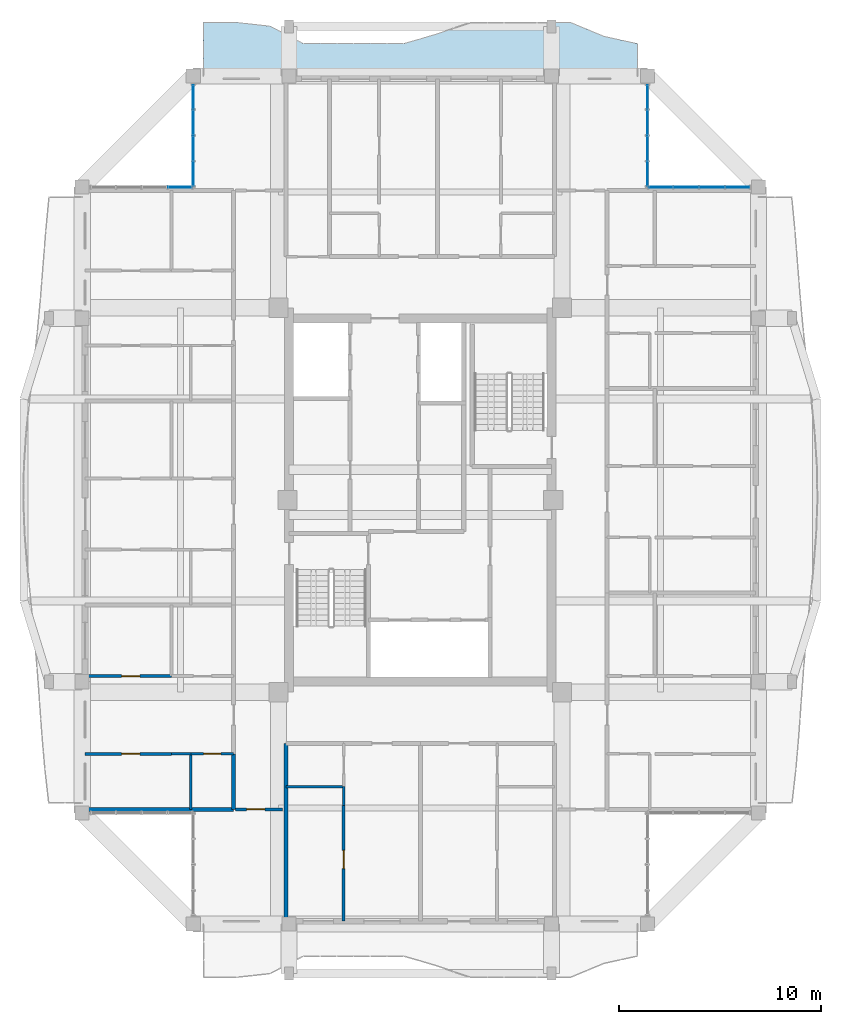
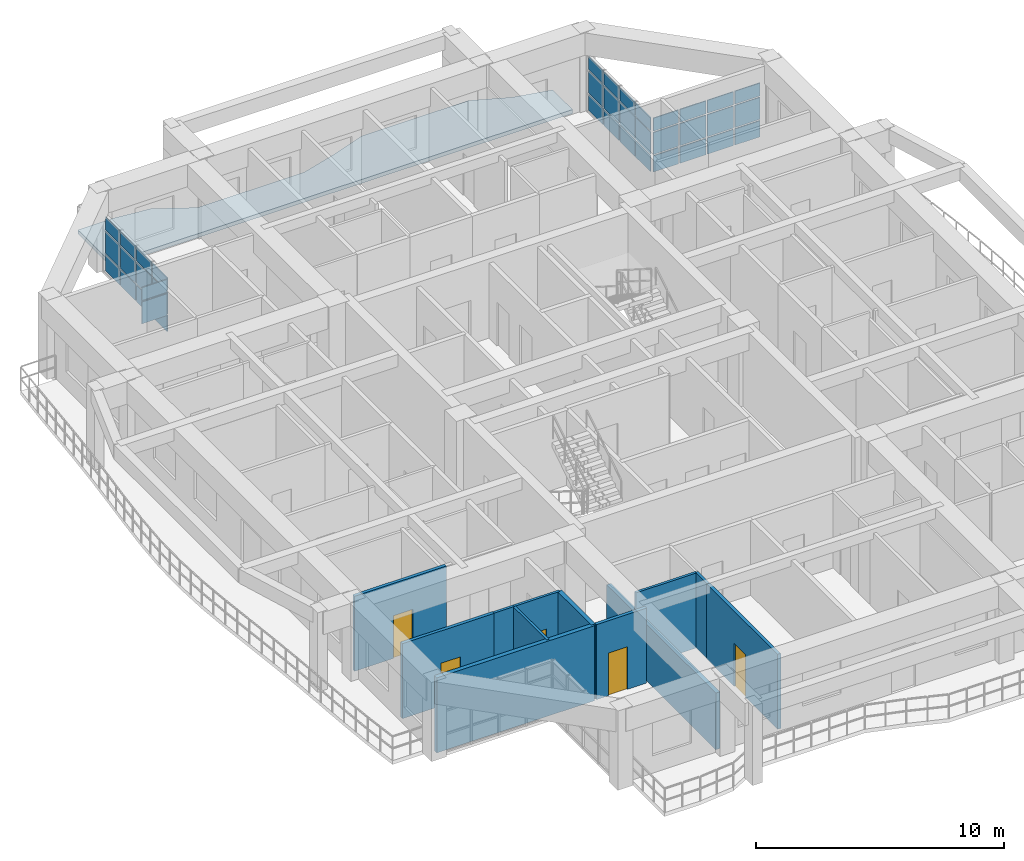
# One storey, part 15 of 27: 38 plates, 12 walls, 5 doors, 1 slab, 5 openings, 4 elements without a shape of their own.
"""IFC4 building model written with IfcOpenShell, lengths in metres."""

import ifcopenshell
import ifcopenshell.guid

model = None  # the IFC model being written
_history = None  # IfcOwnerHistory: only IFC2X3 demands one
_inside = {}  # id of a spatial element -> (the spatial element, [elements in it])
_under = {}  # id of a project, library or spatial element -> (it, [spatial elements below it])
_declared = {}  # id of a project -> (the project, [libraries it declares])
_typed = {}  # id of a type object -> (the type object, [elements of that type])
_made_of = {}  # id of a material, layer set ... -> (it, [elements and type objects made of it])


def new_model(schema):
    """Start an empty IFC model of exactly this schema.

    Asked for "IFC4X3", IfcOpenShell would pick the latest addendum, in which some entities
    have other attributes; the version numbers below select the first issue.
    IFC2X3 requires an IfcOwnerHistory on every rooted entity: one is made here for all.
    """
    global model, _history
    if schema == "IFC4X3":
        model = ifcopenshell.file(schema_version=(4, 3, 0, 0))
    else:
        model = ifcopenshell.file(schema=schema)
    _inside.clear()
    _under.clear()
    _declared.clear()
    _typed.clear()
    _made_of.clear()
    _history = None
    if model.schema == "IFC2X3":
        org = make("IfcOrganization", Name="unknown")
        user = make(
            "IfcPersonAndOrganization",
            ThePerson=make("IfcPerson", FamilyName="unknown"),
            TheOrganization=org,
        )
        app = make(
            "IfcApplication",
            ApplicationDeveloper=org,
            Version="unknown",
            ApplicationFullName="unknown",
            ApplicationIdentifier="unknown",
        )
        _history = make(
            "IfcOwnerHistory",
            OwningUser=user,
            OwningApplication=app,
            ChangeAction="ADDED",
            CreationDate=0,
        )
    return model


def make(cls, **values):
    """One entity of the class cls with the attributes given. An attribute that is None is left unset."""
    return model.create_entity(
        cls, **{name: value for name, value in values.items() if value is not None}
    )


def rooted(cls, **values):
    """An entity with a GlobalId (a new one), such as an element, a storey or a relation."""
    return make(cls, GlobalId=ifcopenshell.guid.new(), OwnerHistory=_history, **values)


def si_unit(unit_type, name, prefix=None):
    """IfcSIUnit, for example si_unit("LENGTHUNIT", "METRE", prefix="MILLI")."""
    return make("IfcSIUnit", UnitType=unit_type, Prefix=prefix, Name=name)


def assignment(units):
    """IfcUnitAssignment: the units of a project."""
    return None if units is None else make("IfcUnitAssignment", Units=units)


def point(xyz):
    """IfcCartesianPoint."""
    return None if xyz is None else make("IfcCartesianPoint", Coordinates=xyz)


def direction(xyz):
    """IfcDirection."""
    return None if xyz is None else make("IfcDirection", DirectionRatios=xyz)


def frame(location, z_axis=None, x_axis=None):
    """IfcAxis2Placement3D, a coordinate frame: its origin and axes. An axis left out is left unset."""
    return make(
        "IfcAxis2Placement3D",
        Location=point(location),
        Axis=direction(z_axis),
        RefDirection=direction(x_axis),
    )


def frame_2d(location, x_axis=None):
    """IfcAxis2Placement2D, a coordinate frame in the plane: its origin and x axis."""
    return make(
        "IfcAxis2Placement2D", Location=point(location), RefDirection=direction(x_axis)
    )


def origin():
    """The frame at (0, 0, 0) with its axes left unset."""
    return frame((0.0, 0.0, 0.0))


def origin_2d():
    """The frame at (0, 0) in the plane with its x axis left unset."""
    return frame_2d((0.0, 0.0))


def place(relative_to, where):
    """IfcLocalPlacement: puts the frame where relative to a parent placement (None: the world)."""
    return make(
        "IfcLocalPlacement", PlacementRelTo=relative_to, RelativePlacement=where
    )


def context(
    kind, dimensions, precision=None, world=None, true_north=None, identifier=None
):
    """IfcGeometricRepresentationContext, for example the 3D "Model" context."""
    return make(
        "IfcGeometricRepresentationContext",
        ContextIdentifier=identifier,
        ContextType=kind,
        CoordinateSpaceDimension=dimensions,
        Precision=precision,
        WorldCoordinateSystem=world,
        TrueNorth=true_north,
    )


def subcontext(parent, identifier, kind, view, scale=None):
    """IfcGeometricRepresentationSubContext, for example "Body" below "Model"."""
    return make(
        "IfcGeometricRepresentationSubContext",
        ContextIdentifier=identifier,
        ContextType=kind,
        ParentContext=parent,
        TargetScale=scale,
        TargetView=view,
    )


def project(units=None, contexts=None):
    """IfcProject with its units and contexts."""
    return rooted(
        "IfcProject",
        Name="project",
        RepresentationContexts=contexts,
        UnitsInContext=assignment(units),
    )


def spatial(cls, under=None, at=None, **own):
    """A site, building, storey or space (cls), placed at a placement, below another one or the project."""
    s = rooted(cls, ObjectPlacement=at, **own)
    if under is not None:
        _under.setdefault(under.id(), (under, []))[1].append(s)
    return s


def polyline(points):
    """IfcPolyline through the points."""
    return make("IfcPolyline", Points=[point(p) for p in points])


def profile(cls, at=None, kind="AREA", **sizes):
    """A parametric profile (cls). Its sizes go by their IFC names, for example OverallWidth=200.0."""
    return make(cls, ProfileType=kind, Position=at, **sizes)


def rectangle(**sizes):
    """IfcRectangleProfileDef."""
    return profile("IfcRectangleProfileDef", **sizes)


def outline(outer, holes=None, kind="AREA"):
    """IfcArbitraryClosedProfileDef: a profile drawn as a closed curve; with holes, ...WithVoids."""
    if holes is None:
        return make("IfcArbitraryClosedProfileDef", ProfileType=kind, OuterCurve=outer)
    return make(
        "IfcArbitraryProfileDefWithVoids",
        ProfileType=kind,
        OuterCurve=outer,
        InnerCurves=holes,
    )


def extrude(swept, where, along, depth):
    """IfcExtrudedAreaSolid: the profile swept, set in the frame where, extruded along a direction by depth."""
    return make(
        "IfcExtrudedAreaSolid",
        SweptArea=swept,
        Position=where,
        ExtrudedDirection=direction(along),
        Depth=depth,
    )


def shape(context_of_items, identifier, shape_type, items):
    """IfcShapeRepresentation: the items that make up one representation, for example the "Body"."""
    return make(
        "IfcShapeRepresentation",
        ContextOfItems=context_of_items,
        RepresentationIdentifier=identifier,
        RepresentationType=shape_type,
        Items=items,
    )


def source(mapping_origin, context_of_items, identifier, shape_type, items):
    """IfcRepresentationMap: a shape defined once, which mapped items show again and again."""
    return make(
        "IfcRepresentationMap",
        MappingOrigin=mapping_origin,
        MappedRepresentation=shape(context_of_items, identifier, shape_type, items),
    )


def transform(
    local_origin,
    x_axis=None,
    y_axis=None,
    z_axis=None,
    scale=None,
    scale2=None,
    scale3=None,
    uniform=True,
):
    """IfcCartesianTransformationOperator3D, or its non-uniform kind. x_axis, y_axis, z_axis: its Axis1, 2, 3."""
    if uniform:
        return make(
            "IfcCartesianTransformationOperator3D",
            Axis1=direction(x_axis),
            Axis2=direction(y_axis),
            LocalOrigin=point(local_origin),
            Scale=scale,
            Axis3=direction(z_axis),
        )
    return make(
        "IfcCartesianTransformationOperator3DnonUniform",
        Axis1=direction(x_axis),
        Axis2=direction(y_axis),
        LocalOrigin=point(local_origin),
        Scale=scale,
        Axis3=direction(z_axis),
        Scale2=scale2,
        Scale3=scale3,
    )


def mapped(mapping_source, mapping_target):
    """IfcMappedItem: shows the shape of a source again, moved by a transform."""
    return make(
        "IfcMappedItem", MappingSource=mapping_source, MappingTarget=mapping_target
    )


def material(Name=None, Category=None):
    """IfcMaterial."""
    return make("IfcMaterial", Name=Name, Category=Category)


def layer(
    of_material, thickness, ventilated=None, Name=None, Category=None, Priority=None
):
    """IfcMaterialLayer: one layer of a wall or slab, of a material (None: an air gap)."""
    return make(
        "IfcMaterialLayer",
        Material=of_material,
        LayerThickness=thickness,
        IsVentilated=ventilated,
        Name=Name,
        Category=Category,
        Priority=Priority,
    )


def layer_set(layers, Name=None):
    """IfcMaterialLayerSet."""
    return make("IfcMaterialLayerSet", MaterialLayers=layers, LayerSetName=Name)


def made_of(thing, what):
    """Note that an element or type object is made of a material, layer set ...; save() writes the relation."""
    if what is not None:
        _made_of.setdefault(what.id(), (what, []))[1].append(thing)
    return thing


def type_object(cls, material=None, **own):
    """A type object (cls), such as IfcWallType, which elements share."""
    return made_of(rooted(cls, **own), material)


def element(
    cls,
    number,
    at=None,
    inside=None,
    cuts=None,
    type_object=None,
    material=None,
    context=None,
    identifier="Body",
    shape_type=None,
    held_by="IfcProductDefinitionShape",
    body=None,
    shapes=None,
    **own,
):
    """One element of the class cls, such as IfcWall. Its Tag is "e" and its number.

    at: its placement. inside: the storey or other place that contains it. cuts: it is an
    opening in that element (IfcRelVoidsElement). A single representation is given by context,
    identifier, shape_type and body (its items); several are given by shapes. held_by: the class
    of the entity that holds the representations. save() writes the other relations.
    """
    e = rooted(cls, Tag="e%d" % number, ObjectPlacement=at, **own)
    if body is not None:
        shapes = [shape(context, identifier, shape_type, body)]
    if shapes is not None:
        e.Representation = make(held_by, Representations=shapes)
    if inside is not None:
        _inside.setdefault(inside.id(), (inside, []))[1].append(e)
    if cuts is not None:
        rooted(
            "IfcRelVoidsElement", RelatingBuildingElement=cuts, RelatedOpeningElement=e
        )
    if type_object is not None:
        _typed.setdefault(type_object.id(), (type_object, []))[1].append(e)
    return made_of(e, material)


def fill(opening, filler):
    """IfcRelFillsElement: the door or window that sits in an opening."""
    return rooted(
        "IfcRelFillsElement",
        RelatingOpeningElement=opening,
        RelatedBuildingElement=filler,
    )


def aggregate(whole, parts):
    """IfcRelAggregates: a whole, such as a stair, and the parts it consists of."""
    return rooted("IfcRelAggregates", RelatingObject=whole, RelatedObjects=parts)


def save(model, path):
    """Write the relations noted so far, then the file.

    IfcRelAggregates (storeys below a building ...), IfcRelContainedInSpatialStructure (elements
    in a storey), IfcRelDefinesByType, IfcRelAssociatesMaterial and IfcRelDeclares: one each for
    every whole, place, type object, material and project.
    """
    for whole, parts in _under.values():
        aggregate(whole, parts)
    for where, things in _inside.values():
        rooted(
            "IfcRelContainedInSpatialStructure",
            RelatedElements=things,
            RelatingStructure=where,
        )
    for kind, things in _typed.values():
        rooted("IfcRelDefinesByType", RelatedObjects=things, RelatingType=kind)
    for what, things in _made_of.values():
        rooted("IfcRelAssociatesMaterial", RelatedObjects=things, RelatingMaterial=what)
    for by, libraries in _declared.values():
        rooted("IfcRelDeclares", RelatingContext=by, RelatedDefinitions=libraries)
    model.write(path)


model = new_model("IFC4")

# Units and contexts
model_context = context("Model", 3, precision=1e-05, world=origin(), true_north=direction((0.0, 1.0)))
body_context = subcontext(model_context, "Body", "Model", "MODEL_VIEW")
ifc_project = project(units=[si_unit("LENGTHUNIT", "METRE"), si_unit("AREAUNIT", "SQUARE_METRE"), si_unit("VOLUMEUNIT", "CUBIC_METRE"), si_unit("PLANEANGLEUNIT", "RADIAN"), si_unit("MASSUNIT", "GRAM", prefix="KILO")], contexts=[model_context])

# Site, building, storey
site_placement = place(None, origin())
site = spatial("IfcSite", under=ifc_project, at=site_placement, CompositionType="ELEMENT")
building_placement = place(site_placement, origin())
building = spatial("IfcBuilding", under=site, at=building_placement, Name="Saelheon Loggia Tower", CompositionType="ELEMENT")
storey_placement = place(building_placement, frame((0.0, 0.0, 226.199951171875)))
storey = spatial("IfcBuildingStorey", under=building, at=storey_placement, Name="L70", CompositionType="ELEMENT", Elevation=226.199951171875)

# Slab
ifc_material_1 = material(Name="Precast Concrete C45/55", Category="concrete")
ifc_layer_1 = layer(ifc_material_1, 0.18994140625)
ifc_layer_set_1 = layer_set([ifc_layer_1], Name="Precast Concrete C45/55")
slab_type = type_object("IfcSlabType", Name="Slab_Loggia_Ext_190", PredefinedType="FLOOR", material=ifc_layer_set_1)
slab_placement = place(storey_placement, frame((0.0, 0.0, -0.18994140625)))
element("IfcSlab", 1, at=slab_placement, inside=storey, type_object=slab_type, Name="L70 Loggia Balcony Slab N", PredefinedType="FLOOR", context=body_context, shape_type="SweptSolid", body=[
    extrude(outline(polyline([(27.25, 48.0), (48.75, 48.0), (48.75, 49.60009765625), (47.09619140625, 49.96240234375), (45.4423828125, 50.64990234375), (43.78857421875, 50.64990234375), (42.134521484375, 50.64990234375), (40.480712890625, 50.64990234375), (38.826904296875, 50.0830078125), (37.173095703125, 49.60009765625), (35.519287109375, 49.60009765625), (33.865478515625, 49.60009765625), (32.21142578125, 49.60009765625), (30.5576171875, 50.468994140625), (28.90380859375, 50.64990234375), (27.25, 50.64990234375), (27.25, 48.0)])), origin(), (0.0, 0.0, 1.0), 0.18994140625),
])

# Curtain wall, plates
ifc_material_2 = material(Name="High-Wind Aluminium and Triple Laminated Glass", Category="aluminium")
ifc_layer_2 = layer(ifc_material_2, 0.179931640625)
ifc_layer_set_2 = layer_set([ifc_layer_2], Name="High-Wind Aluminium and Triple Laminated Glass")
curtain_wall_type = type_object("IfcCurtainWallType", Name="CW_TowerLoggiaHigh", PredefinedType="NOTDEFINED", material=ifc_layer_set_2)
curtain_wall_1_placement = place(storey_placement, origin())
curtain_wall_1 = element("IfcCurtainWall", 2, at=curtain_wall_1_placement, inside=storey, type_object=curtain_wall_type, Name="L70 Corner Notch Glazing NW1", PredefinedType="NOTDEFINED")
ifc_material_3 = material(Name="Triple Low-E Laminated Glazing", Category="glass")
ifc_layer_3 = layer(ifc_material_3, 0.0439453125)
ifc_layer_set_3 = layer_set([ifc_layer_3], Name="Triple Low-E Laminated Glazing")
plate_type = type_object("IfcPlateType", Name="CW_TowerLoggiaHigh_Panel", PredefinedType="CURTAIN_PANEL", material=ifc_layer_set_3)
shared_shape_1 = source(origin(), body_context, "Body", "SweptSolid", [
    extrude(rectangle(XDim=1.172607421875, YDim=0.0439453125, at=origin_2d()), origin(), (0.0, 0.0, 1.0), 0.794921875),
])
plate_1_placement = place(storey_placement, frame((26.75, 43.15625, 0.070068359375), z_axis=(0.0, 0.0, 1.0), x_axis=(0.0, 1.0, 0.0)))
plate_1 = element("IfcPlate", 3, at=plate_1_placement, type_object=plate_type, Name="CW4 panel 1.1", PredefinedType="CURTAIN_PANEL", context=body_context, shape_type="MappedRepresentation", body=[
    mapped(shared_shape_1, transform((0.0, 0.0, 0.0), scale=1.0)),
])
plate_2_placement = place(storey_placement, frame((26.75, 46.953857421875, 0.070068359375), z_axis=(0.0, 0.0, 1.0), x_axis=(0.0, 1.0, 0.0)))
plate_2 = element("IfcPlate", 4, at=plate_2_placement, type_object=plate_type, Name="CW4 panel 4.1", PredefinedType="CURTAIN_PANEL", context=body_context, shape_type="MappedRepresentation", body=[
    mapped(shared_shape_1, transform((0.0, 0.0, 0.0), scale=1.0)),
])

curtain_wall_2_placement = place(storey_placement, origin())
curtain_wall_2 = element("IfcCurtainWall", 5, at=curtain_wall_2_placement, inside=storey, type_object=curtain_wall_type, Name="L70 Corner Notch Glazing NE1", PredefinedType="NOTDEFINED")
plate_3_placement = place(storey_placement, frame((49.25, 43.15625, 0.070068359375), z_axis=(0.0, 0.0, 1.0), x_axis=(0.0, 1.0, 0.0)))
plate_3 = element("IfcPlate", 6, at=plate_3_placement, type_object=plate_type, Name="CW4 panel 1.1", PredefinedType="CURTAIN_PANEL", context=body_context, shape_type="MappedRepresentation", body=[
    mapped(shared_shape_1, transform((0.0, 0.0, 0.0), scale=1.0)),
])
plate_4_placement = place(storey_placement, frame((49.25, 46.953857421875, 0.070068359375), z_axis=(0.0, 0.0, 1.0), x_axis=(0.0, 1.0, 0.0)))
plate_4 = element("IfcPlate", 7, at=plate_4_placement, type_object=plate_type, Name="CW4 panel 4.1", PredefinedType="CURTAIN_PANEL", context=body_context, shape_type="MappedRepresentation", body=[
    mapped(shared_shape_1, transform((0.0, 0.0, 0.0), scale=1.0)),
])

curtain_wall_3_placement = place(storey_placement, origin())
curtain_wall_3 = element("IfcCurtainWall", 8, at=curtain_wall_3_placement, inside=storey, type_object=curtain_wall_type, Name="L70 Corner Notch Glazing NE2", PredefinedType="NOTDEFINED")
plate_5_placement = place(storey_placement, frame((49.90625, 42.5, 0.070068359375), z_axis=(0.0, 0.0, 1.0), x_axis=(1.0, 0.0, 0.0)))
plate_5 = element("IfcPlate", 9, at=plate_5_placement, type_object=plate_type, Name="CW4 panel 1.1", PredefinedType="CURTAIN_PANEL", context=body_context, shape_type="MappedRepresentation", body=[
    mapped(shared_shape_1, transform((0.0, 0.0, 0.0), scale=1.0)),
])
plate_6_placement = place(storey_placement, frame((53.703857421875, 42.5, 0.070068359375), z_axis=(0.0, 0.0, 1.0), x_axis=(1.0, 0.0, 0.0)))
plate_6 = element("IfcPlate", 10, at=plate_6_placement, type_object=plate_type, Name="CW4 panel 4.1", PredefinedType="CURTAIN_PANEL", context=body_context, shape_type="MappedRepresentation", body=[
    mapped(shared_shape_1, transform((0.0, 0.0, 0.0), scale=1.0)),
])

# Plate
shared_shape_2 = source(origin(), body_context, "Body", "SweptSolid", [
    extrude(rectangle(XDim=1.172607421875, YDim=0.0439453125, at=origin_2d()), origin(), (0.0, 0.0, 1.0), 1.080078125),
])
plate_7_placement = place(storey_placement, frame((26.75, 43.15625, 0.93505859375), z_axis=(0.0, 0.0, 1.0), x_axis=(0.0, 1.0, 0.0)))
plate_7 = element("IfcPlate", 11, at=plate_7_placement, type_object=plate_type, Name="CW4 panel 1.2", PredefinedType="CURTAIN_PANEL", context=body_context, shape_type="MappedRepresentation", body=[
    mapped(shared_shape_2, transform((0.0, 0.0, 0.0), scale=1.0)),
])

plate_8_placement = place(storey_placement, frame((26.75, 46.953857421875, 0.93505859375), z_axis=(0.0, 0.0, 1.0), x_axis=(0.0, 1.0, 0.0)))
plate_8 = element("IfcPlate", 12, at=plate_8_placement, type_object=plate_type, Name="CW4 panel 4.2", PredefinedType="CURTAIN_PANEL", context=body_context, shape_type="MappedRepresentation", body=[
    mapped(shared_shape_2, transform((0.0, 0.0, 0.0), scale=1.0)),
])

# Curtain wall, plate
curtain_wall_4_placement = place(storey_placement, origin())
curtain_wall_4 = element("IfcCurtainWall", 13, at=curtain_wall_4_placement, inside=storey, type_object=curtain_wall_type, Name="L70 Corner Notch Glazing NW2", PredefinedType="NOTDEFINED")
plate_9_placement = place(storey_placement, frame((26.09375, 42.5, 0.93505859375), z_axis=(0.0, 0.0, 1.0), x_axis=(1.0, 0.0, 0.0)))
plate_9 = element("IfcPlate", 14, at=plate_9_placement, type_object=plate_type, Name="CW4 panel 4.2", PredefinedType="CURTAIN_PANEL", context=body_context, shape_type="MappedRepresentation", body=[
    mapped(shared_shape_2, transform((0.0, 0.0, 0.0), scale=1.0)),
])

# Plate
plate_10_placement = place(storey_placement, frame((49.25, 43.15625, 0.93505859375), z_axis=(0.0, 0.0, 1.0), x_axis=(0.0, 1.0, 0.0)))
plate_10 = element("IfcPlate", 15, at=plate_10_placement, type_object=plate_type, Name="CW4 panel 1.2", PredefinedType="CURTAIN_PANEL", context=body_context, shape_type="MappedRepresentation", body=[
    mapped(shared_shape_2, transform((0.0, 0.0, 0.0), scale=1.0)),
])

plate_11_placement = place(storey_placement, frame((49.25, 46.953857421875, 0.93505859375), z_axis=(0.0, 0.0, 1.0), x_axis=(0.0, 1.0, 0.0)))
plate_11 = element("IfcPlate", 16, at=plate_11_placement, type_object=plate_type, Name="CW4 panel 4.2", PredefinedType="CURTAIN_PANEL", context=body_context, shape_type="MappedRepresentation", body=[
    mapped(shared_shape_2, transform((0.0, 0.0, 0.0), scale=1.0)),
])

plate_12_placement = place(storey_placement, frame((49.90625, 42.5, 0.93505859375), z_axis=(0.0, 0.0, 1.0), x_axis=(1.0, 0.0, 0.0)))
plate_12 = element("IfcPlate", 17, at=plate_12_placement, type_object=plate_type, Name="CW4 panel 1.2", PredefinedType="CURTAIN_PANEL", context=body_context, shape_type="MappedRepresentation", body=[
    mapped(shared_shape_2, transform((0.0, 0.0, 0.0), scale=1.0)),
])

plate_13_placement = place(storey_placement, frame((53.703857421875, 42.5, 0.93505859375), z_axis=(0.0, 0.0, 1.0), x_axis=(1.0, 0.0, 0.0)))
plate_13 = element("IfcPlate", 18, at=plate_13_placement, type_object=plate_type, Name="CW4 panel 4.2", PredefinedType="CURTAIN_PANEL", context=body_context, shape_type="MappedRepresentation", body=[
    mapped(shared_shape_2, transform((0.0, 0.0, 0.0), scale=1.0)),
])

shared_shape_3 = source(origin(), body_context, "Body", "SweptSolid", [
    extrude(rectangle(XDim=1.20751953125, YDim=0.0439453125, at=origin_2d()), origin(), (0.0, 0.0, 1.0), 0.794921875),
])
plate_14_placement = place(storey_placement, frame((26.75, 44.416259765625, 0.070068359375), z_axis=(0.0, 0.0, 1.0), x_axis=(0.0, 1.0, 0.0)))
plate_14 = element("IfcPlate", 19, at=plate_14_placement, type_object=plate_type, Name="CW4 panel 2.1", PredefinedType="CURTAIN_PANEL", context=body_context, shape_type="MappedRepresentation", body=[
    mapped(shared_shape_3, transform((0.0, 0.0, 0.0), scale=1.0)),
])

plate_15_placement = place(storey_placement, frame((26.75, 45.69384765625, 0.070068359375), z_axis=(0.0, 0.0, 1.0), x_axis=(0.0, 1.0, 0.0)))
plate_15 = element("IfcPlate", 20, at=plate_15_placement, type_object=plate_type, Name="CW4 panel 3.1", PredefinedType="CURTAIN_PANEL", context=body_context, shape_type="MappedRepresentation", body=[
    mapped(shared_shape_3, transform((0.0, 0.0, 0.0), scale=1.0)),
])

plate_16_placement = place(storey_placement, frame((49.25, 44.416259765625, 0.070068359375), z_axis=(0.0, 0.0, 1.0), x_axis=(0.0, 1.0, 0.0)))
plate_16 = element("IfcPlate", 21, at=plate_16_placement, type_object=plate_type, Name="CW4 panel 2.1", PredefinedType="CURTAIN_PANEL", context=body_context, shape_type="MappedRepresentation", body=[
    mapped(shared_shape_3, transform((0.0, 0.0, 0.0), scale=1.0)),
])

plate_17_placement = place(storey_placement, frame((49.25, 45.69384765625, 0.070068359375), z_axis=(0.0, 0.0, 1.0), x_axis=(0.0, 1.0, 0.0)))
plate_17 = element("IfcPlate", 22, at=plate_17_placement, type_object=plate_type, Name="CW4 panel 3.1", PredefinedType="CURTAIN_PANEL", context=body_context, shape_type="MappedRepresentation", body=[
    mapped(shared_shape_3, transform((0.0, 0.0, 0.0), scale=1.0)),
])

plate_18_placement = place(storey_placement, frame((51.166259765625, 42.5, 0.070068359375), z_axis=(0.0, 0.0, 1.0), x_axis=(1.0, 0.0, 0.0)))
plate_18 = element("IfcPlate", 23, at=plate_18_placement, type_object=plate_type, Name="CW4 panel 2.1", PredefinedType="CURTAIN_PANEL", context=body_context, shape_type="MappedRepresentation", body=[
    mapped(shared_shape_3, transform((0.0, 0.0, 0.0), scale=1.0)),
])

plate_19_placement = place(storey_placement, frame((52.44384765625, 42.5, 0.070068359375), z_axis=(0.0, 0.0, 1.0), x_axis=(1.0, 0.0, 0.0)))
plate_19 = element("IfcPlate", 24, at=plate_19_placement, type_object=plate_type, Name="CW4 panel 3.1", PredefinedType="CURTAIN_PANEL", context=body_context, shape_type="MappedRepresentation", body=[
    mapped(shared_shape_3, transform((0.0, 0.0, 0.0), scale=1.0)),
])

shared_shape_4 = source(origin(), body_context, "Body", "SweptSolid", [
    extrude(rectangle(XDim=1.20751953125, YDim=0.0439453125, at=origin_2d()), origin(), (0.0, 0.0, 1.0), 1.080078125),
])
plate_20_placement = place(storey_placement, frame((26.75, 44.416259765625, 0.93505859375), z_axis=(0.0, 0.0, 1.0), x_axis=(0.0, 1.0, 0.0)))
plate_20 = element("IfcPlate", 25, at=plate_20_placement, type_object=plate_type, Name="CW4 panel 2.2", PredefinedType="CURTAIN_PANEL", context=body_context, shape_type="MappedRepresentation", body=[
    mapped(shared_shape_4, transform((0.0, 0.0, 0.0), scale=1.0)),
])

plate_21_placement = place(storey_placement, frame((26.75, 45.69384765625, 0.93505859375), z_axis=(0.0, 0.0, 1.0), x_axis=(0.0, 1.0, 0.0)))
plate_21 = element("IfcPlate", 26, at=plate_21_placement, type_object=plate_type, Name="CW4 panel 3.2", PredefinedType="CURTAIN_PANEL", context=body_context, shape_type="MappedRepresentation", body=[
    mapped(shared_shape_4, transform((0.0, 0.0, 0.0), scale=1.0)),
])

plate_22_placement = place(storey_placement, frame((49.25, 44.416259765625, 0.93505859375), z_axis=(0.0, 0.0, 1.0), x_axis=(0.0, 1.0, 0.0)))
plate_22 = element("IfcPlate", 27, at=plate_22_placement, type_object=plate_type, Name="CW4 panel 2.2", PredefinedType="CURTAIN_PANEL", context=body_context, shape_type="MappedRepresentation", body=[
    mapped(shared_shape_4, transform((0.0, 0.0, 0.0), scale=1.0)),
])

plate_23_placement = place(storey_placement, frame((49.25, 45.69384765625, 0.93505859375), z_axis=(0.0, 0.0, 1.0), x_axis=(0.0, 1.0, 0.0)))
plate_23 = element("IfcPlate", 28, at=plate_23_placement, type_object=plate_type, Name="CW4 panel 3.2", PredefinedType="CURTAIN_PANEL", context=body_context, shape_type="MappedRepresentation", body=[
    mapped(shared_shape_4, transform((0.0, 0.0, 0.0), scale=1.0)),
])

plate_24_placement = place(storey_placement, frame((51.166259765625, 42.5, 0.93505859375), z_axis=(0.0, 0.0, 1.0), x_axis=(1.0, 0.0, 0.0)))
plate_24 = element("IfcPlate", 29, at=plate_24_placement, type_object=plate_type, Name="CW4 panel 2.2", PredefinedType="CURTAIN_PANEL", context=body_context, shape_type="MappedRepresentation", body=[
    mapped(shared_shape_4, transform((0.0, 0.0, 0.0), scale=1.0)),
])

plate_25_placement = place(storey_placement, frame((52.44384765625, 42.5, 0.93505859375), z_axis=(0.0, 0.0, 1.0), x_axis=(1.0, 0.0, 0.0)))
plate_25 = element("IfcPlate", 30, at=plate_25_placement, type_object=plate_type, Name="CW4 panel 3.2", PredefinedType="CURTAIN_PANEL", context=body_context, shape_type="MappedRepresentation", body=[
    mapped(shared_shape_4, transform((0.0, 0.0, 0.0), scale=1.0)),
])

shared_shape_5 = source(origin(), body_context, "Body", "SweptSolid", [
    extrude(rectangle(XDim=1.172607421875, YDim=0.0439453125, at=origin_2d()), origin(), (0.0, 0.0, 1.0), 0.635009765625),
])
plate_26_placement = place(storey_placement, frame((26.75, 43.15625, 2.0849609375), z_axis=(0.0, 0.0, 1.0), x_axis=(0.0, 1.0, 0.0)))
plate_26 = element("IfcPlate", 31, at=plate_26_placement, type_object=plate_type, Name="CW4 panel 1.3", PredefinedType="CURTAIN_PANEL", context=body_context, shape_type="MappedRepresentation", body=[
    mapped(shared_shape_5, transform((0.0, 0.0, 0.0), scale=1.0)),
])

plate_27_placement = place(storey_placement, frame((26.75, 46.953857421875, 2.0849609375), z_axis=(0.0, 0.0, 1.0), x_axis=(0.0, 1.0, 0.0)))
plate_27 = element("IfcPlate", 32, at=plate_27_placement, type_object=plate_type, Name="CW4 panel 4.3", PredefinedType="CURTAIN_PANEL", context=body_context, shape_type="MappedRepresentation", body=[
    mapped(shared_shape_5, transform((0.0, 0.0, 0.0), scale=1.0)),
])

plate_28_placement = place(storey_placement, frame((26.09375, 42.5, 2.0849609375), z_axis=(0.0, 0.0, 1.0), x_axis=(1.0, 0.0, 0.0)))
plate_28 = element("IfcPlate", 33, at=plate_28_placement, type_object=plate_type, Name="CW4 panel 4.3", PredefinedType="CURTAIN_PANEL", context=body_context, shape_type="MappedRepresentation", body=[
    mapped(shared_shape_5, transform((0.0, 0.0, 0.0), scale=1.0)),
])

aggregate(curtain_wall_4, [plate_9, plate_28])

plate_29_placement = place(storey_placement, frame((49.25, 43.15625, 2.0849609375), z_axis=(0.0, 0.0, 1.0), x_axis=(0.0, 1.0, 0.0)))
plate_29 = element("IfcPlate", 34, at=plate_29_placement, type_object=plate_type, Name="CW4 panel 1.3", PredefinedType="CURTAIN_PANEL", context=body_context, shape_type="MappedRepresentation", body=[
    mapped(shared_shape_5, transform((0.0, 0.0, 0.0), scale=1.0)),
])

plate_30_placement = place(storey_placement, frame((49.25, 46.953857421875, 2.0849609375), z_axis=(0.0, 0.0, 1.0), x_axis=(0.0, 1.0, 0.0)))
plate_30 = element("IfcPlate", 35, at=plate_30_placement, type_object=plate_type, Name="CW4 panel 4.3", PredefinedType="CURTAIN_PANEL", context=body_context, shape_type="MappedRepresentation", body=[
    mapped(shared_shape_5, transform((0.0, 0.0, 0.0), scale=1.0)),
])

plate_31_placement = place(storey_placement, frame((49.90625, 42.5, 2.0849609375), z_axis=(0.0, 0.0, 1.0), x_axis=(1.0, 0.0, 0.0)))
plate_31 = element("IfcPlate", 36, at=plate_31_placement, type_object=plate_type, Name="CW4 panel 1.3", PredefinedType="CURTAIN_PANEL", context=body_context, shape_type="MappedRepresentation", body=[
    mapped(shared_shape_5, transform((0.0, 0.0, 0.0), scale=1.0)),
])

plate_32_placement = place(storey_placement, frame((53.703857421875, 42.5, 2.0849609375), z_axis=(0.0, 0.0, 1.0), x_axis=(1.0, 0.0, 0.0)))
plate_32 = element("IfcPlate", 37, at=plate_32_placement, type_object=plate_type, Name="CW4 panel 4.3", PredefinedType="CURTAIN_PANEL", context=body_context, shape_type="MappedRepresentation", body=[
    mapped(shared_shape_5, transform((0.0, 0.0, 0.0), scale=1.0)),
])

shared_shape_6 = source(origin(), body_context, "Body", "SweptSolid", [
    extrude(rectangle(XDim=1.20751953125, YDim=0.0439453125, at=origin_2d()), origin(), (0.0, 0.0, 1.0), 0.635009765625),
])
plate_33_placement = place(storey_placement, frame((26.75, 44.416259765625, 2.0849609375), z_axis=(0.0, 0.0, 1.0), x_axis=(0.0, 1.0, 0.0)))
plate_33 = element("IfcPlate", 38, at=plate_33_placement, type_object=plate_type, Name="CW4 panel 2.3", PredefinedType="CURTAIN_PANEL", context=body_context, shape_type="MappedRepresentation", body=[
    mapped(shared_shape_6, transform((0.0, 0.0, 0.0), scale=1.0)),
])

plate_34_placement = place(storey_placement, frame((26.75, 45.69384765625, 2.0849609375), z_axis=(0.0, 0.0, 1.0), x_axis=(0.0, 1.0, 0.0)))
plate_34 = element("IfcPlate", 39, at=plate_34_placement, type_object=plate_type, Name="CW4 panel 3.3", PredefinedType="CURTAIN_PANEL", context=body_context, shape_type="MappedRepresentation", body=[
    mapped(shared_shape_6, transform((0.0, 0.0, 0.0), scale=1.0)),
])

aggregate(curtain_wall_1, [plate_1, plate_7, plate_26, plate_14, plate_20, plate_33, plate_15, plate_21, plate_34, plate_2, plate_8, plate_27])

plate_35_placement = place(storey_placement, frame((49.25, 44.416259765625, 2.0849609375), z_axis=(0.0, 0.0, 1.0), x_axis=(0.0, 1.0, 0.0)))
plate_35 = element("IfcPlate", 40, at=plate_35_placement, type_object=plate_type, Name="CW4 panel 2.3", PredefinedType="CURTAIN_PANEL", context=body_context, shape_type="MappedRepresentation", body=[
    mapped(shared_shape_6, transform((0.0, 0.0, 0.0), scale=1.0)),
])

plate_36_placement = place(storey_placement, frame((49.25, 45.69384765625, 2.0849609375), z_axis=(0.0, 0.0, 1.0), x_axis=(0.0, 1.0, 0.0)))
plate_36 = element("IfcPlate", 41, at=plate_36_placement, type_object=plate_type, Name="CW4 panel 3.3", PredefinedType="CURTAIN_PANEL", context=body_context, shape_type="MappedRepresentation", body=[
    mapped(shared_shape_6, transform((0.0, 0.0, 0.0), scale=1.0)),
])

aggregate(curtain_wall_2, [plate_3, plate_10, plate_29, plate_16, plate_22, plate_35, plate_17, plate_23, plate_36, plate_4, plate_11, plate_30])

plate_37_placement = place(storey_placement, frame((51.166259765625, 42.5, 2.0849609375), z_axis=(0.0, 0.0, 1.0), x_axis=(1.0, 0.0, 0.0)))
plate_37 = element("IfcPlate", 42, at=plate_37_placement, type_object=plate_type, Name="CW4 panel 2.3", PredefinedType="CURTAIN_PANEL", context=body_context, shape_type="MappedRepresentation", body=[
    mapped(shared_shape_6, transform((0.0, 0.0, 0.0), scale=1.0)),
])

plate_38_placement = place(storey_placement, frame((52.44384765625, 42.5, 2.0849609375), z_axis=(0.0, 0.0, 1.0), x_axis=(1.0, 0.0, 0.0)))
plate_38 = element("IfcPlate", 43, at=plate_38_placement, type_object=plate_type, Name="CW4 panel 3.3", PredefinedType="CURTAIN_PANEL", context=body_context, shape_type="MappedRepresentation", body=[
    mapped(shared_shape_6, transform((0.0, 0.0, 0.0), scale=1.0)),
])

aggregate(curtain_wall_3, [plate_5, plate_12, plate_31, plate_18, plate_24, plate_37, plate_19, plate_25, plate_38, plate_6, plate_13, plate_32])

# Wall, opening, door
ifc_material_4 = material(Name="Lightweight Autoclaved Aerated Concrete Block and Acoustic Gypsum", Category="concrete")
ifc_layer_4 = layer(ifc_material_4, 0.14990234375)
ifc_layer_set_4 = layer_set([ifc_layer_4], Name="Lightweight Autoclaved Aerated Concrete Block and Acoustic Gypsum")
wall_type_1 = type_object("IfcWallType", Name="Wall_Part_150", PredefinedType="PARTITIONING", material=ifc_layer_set_4)
wall_1_placement = place(storey_placement, frame((28.85009765625, 11.679931640625, 0.0), z_axis=(0.0, 0.0, 1.0), x_axis=(1.0, 0.0, 0.0)))
wall_1 = element("IfcWall", 44, at=wall_1_placement, inside=storey, type_object=wall_type_1, Name="PW-L70-CSW-H", PredefinedType="PARTITIONING", context=body_context, shape_type="SweptSolid", body=[
    extrude(rectangle(XDim=2.329833984375, YDim=0.14990234375, at=frame_2d((1.1650390625, 0.0))), origin(), (0.0, 0.0, 1.0), 3.68994140625),
])
opening_1_placement = place(wall_1_placement, frame((0.550048828125, 0.0, 0.0)))
opening_1 = element("IfcOpeningElement", 45, at=opening_1_placement, cuts=wall_1, Name="Opening D-IN2", PredefinedType="OPENING", context=body_context, shape_type="SweptSolid", body=[
    extrude(rectangle(XDim=0.89990234375, YDim=2.10009765625, at=frame_2d((0.449951171875, 1.050048828125))), frame((0.0, 0.0869140625, 0.0), z_axis=(0.0, -1.0, 0.0), x_axis=(1.0, 0.0, 0.0)), (0.0, 0.0, 1.0), 0.173828125),
])
ifc_material_5 = material(Name="Engineered Oak Flush Door", Category="timber")
door_type_1 = type_object("IfcDoorType", Name="Door_Int_900", OperationType="NOTDEFINED", PredefinedType="DOOR", material=ifc_material_5)
shared_shape_7 = source(origin(), body_context, "Body", "SweptSolid", [
    extrude(rectangle(XDim=0.89990234375, YDim=2.10009765625, at=frame_2d((0.449951171875, 1.050048828125))), frame((0.0, 0.02490234375, 0.0), z_axis=(0.0, -1.0, 0.0), x_axis=(1.0, 0.0, 0.0)), (0.0, 0.0, 1.0), 0.050048828125),
])
door_1_placement = place(opening_1_placement, origin())
door_1 = element("IfcDoor", 46, at=door_1_placement, inside=storey, type_object=door_type_1, Name="L70 Corner Home Office SW Door", OperationType="SINGLE_SWING_RIGHT", OverallHeight=2.10009765625, OverallWidth=0.89990234375, PredefinedType="DOOR", context=body_context, shape_type="MappedRepresentation", body=[
    mapped(shared_shape_7, transform((0.0, 0.0, 0.0), scale=1.0)),
])
fill(opening_1, door_1)

wall_2_placement = place(storey_placement, frame((34.199951171875, 11.8701171875, 0.0), z_axis=(0.0, 0.0, 1.0), x_axis=(0.0, -1.0, 0.0)))
wall_2 = element("IfcWall", 47, at=wall_2_placement, inside=storey, type_object=wall_type_1, Name="L70 S Partition U08", PredefinedType="PARTITIONING", context=body_context, shape_type="SweptSolid", body=[
    extrude(rectangle(XDim=5.72021484375, YDim=0.14990234375, at=frame_2d((2.860107421875, 0.0))), origin(), (0.0, 0.0, 1.0), 3.68994140625),
])
opening_2_placement = place(wall_2_placement, frame((2.229248046875, 0.0, 0.0)))
opening_2 = element("IfcOpeningElement", 48, at=opening_2_placement, cuts=wall_2, Name="Opening D-IN2", PredefinedType="OPENING", context=body_context, shape_type="SweptSolid", body=[
    extrude(rectangle(XDim=0.89990234375, YDim=2.10009765625, at=frame_2d((0.449951171875, 1.050048828125))), frame((0.0, 0.0869140625, 0.0), z_axis=(0.0, -1.0, 0.0), x_axis=(1.0, 0.0, 0.0)), (0.0, 0.0, 1.0), 0.173828125),
])
door_2_placement = place(opening_2_placement, origin())
door_2 = element("IfcDoor", 49, at=door_2_placement, inside=storey, type_object=door_type_1, Name="Unit U01 Kitchen Door", OperationType="SINGLE_SWING_RIGHT", OverallHeight=2.10009765625, OverallWidth=0.89990234375, PredefinedType="DOOR", context=body_context, shape_type="MappedRepresentation", body=[
    mapped(shared_shape_7, transform((0.0, 0.0, 0.0), scale=1.0)),
])
fill(opening_2, door_2)

wall_3_placement = place(storey_placement, frame((25.669921875, 14.429931640625, 0.0), z_axis=(0.0, 0.0, 1.0), x_axis=(-1.0, 0.0, 0.0)))
wall_3 = element("IfcWall", 50, at=wall_3_placement, inside=storey, type_object=wall_type_1, Name="L70 W Partition U10", PredefinedType="PARTITIONING", context=body_context, shape_type="SweptSolid", body=[
    extrude(rectangle(XDim=4.27001953125, YDim=0.14990234375, at=frame_2d((2.135009765625, 0.0))), origin(), (0.0, 0.0, 1.0), 3.68994140625),
])
opening_3_placement = place(wall_3_placement, frame((1.564697265625, 0.0, 0.0)))
opening_3 = element("IfcOpeningElement", 51, at=opening_3_placement, cuts=wall_3, Name="Opening D-IN2", PredefinedType="OPENING", context=body_context, shape_type="SweptSolid", body=[
    extrude(rectangle(XDim=0.89990234375, YDim=2.10009765625, at=frame_2d((0.449951171875, 1.050048828125))), frame((0.0, 0.0869140625, 0.0), z_axis=(0.0, -1.0, 0.0), x_axis=(1.0, 0.0, 0.0)), (0.0, 0.0, 1.0), 0.173828125),
])
door_3_placement = place(opening_3_placement, origin())
door_3 = element("IfcDoor", 52, at=door_3_placement, inside=storey, type_object=door_type_1, Name="Unit U05 Kitchen Door", OperationType="SINGLE_SWING_LEFT", OverallHeight=2.10009765625, OverallWidth=0.89990234375, PredefinedType="DOOR", context=body_context, shape_type="MappedRepresentation", body=[
    mapped(shared_shape_7, transform((0.0, 0.0, 0.0), scale=1.0)),
])
fill(opening_3, door_3)

wall_4_placement = place(storey_placement, frame((25.669921875, 18.280029296875, 0.0), z_axis=(0.0, 0.0, 1.0), x_axis=(-1.0, 0.0, 0.0)))
wall_4 = element("IfcWall", 53, at=wall_4_placement, inside=storey, type_object=wall_type_1, Name="L70 W Partition U12", PredefinedType="PARTITIONING", context=body_context, shape_type="SweptSolid", body=[
    extrude(rectangle(XDim=4.27001953125, YDim=0.14990234375, at=frame_2d((2.135009765625, 0.0))), origin(), (0.0, 0.0, 1.0), 3.68994140625),
])
opening_4_placement = place(wall_4_placement, frame((1.564697265625, 0.0, 0.0)))
opening_4 = element("IfcOpeningElement", 54, at=opening_4_placement, cuts=wall_4, Name="Opening D-IN2", PredefinedType="OPENING", context=body_context, shape_type="SweptSolid", body=[
    extrude(rectangle(XDim=0.89990234375, YDim=2.10009765625, at=frame_2d((0.449951171875, 1.050048828125))), frame((0.0, 0.0869140625, 0.0), z_axis=(0.0, -1.0, 0.0), x_axis=(1.0, 0.0, 0.0)), (0.0, 0.0, 1.0), 0.173828125),
])
door_4_placement = place(opening_4_placement, origin())
door_4 = element("IfcDoor", 55, at=door_4_placement, inside=storey, type_object=door_type_1, Name="Unit U05 Bedroom 1 Door", OperationType="SINGLE_SWING_LEFT", OverallHeight=2.10009765625, OverallWidth=0.89990234375, PredefinedType="DOOR", context=body_context, shape_type="MappedRepresentation", body=[
    mapped(shared_shape_7, transform((0.0, 0.0, 0.0), scale=1.0)),
])
fill(opening_4, door_4)

# Walls
ifc_material_6 = material(Name="Double Acoustic Stud and Fireboard Partition", Category="gypsum")
ifc_layer_5 = layer(ifc_material_6, 0.199951171875)
ifc_layer_set_5 = layer_set([ifc_layer_5], Name="Double Acoustic Stud and Fireboard Partition")
wall_type_2 = type_object("IfcWallType", Name="Wall_Party_200", PredefinedType="PARTITIONING", material=ifc_layer_set_5)
wall_5_placement = place(storey_placement, frame((31.35009765625, 14.949951171875, 0.0), z_axis=(0.0, 0.0, 1.0), x_axis=(0.0, -1.0, 0.0)))
element("IfcWall", 56, at=wall_5_placement, inside=storey, type_object=wall_type_2, Name="L70 S Partition U01", PredefinedType="PARTITIONING", context=body_context, shape_type="SweptSolid", body=[
    extrude(rectangle(XDim=8.800048828125, YDim=0.199951171875, at=frame_2d((4.39990234375, 0.0))), origin(), (0.0, 0.0, 1.0), 2.7900390625),
])
wall_6_placement = place(storey_placement, frame((28.75, 11.679931640625, 0.0), z_axis=(0.0, 0.0, 1.0), x_axis=(-1.0, 0.0, 0.0)))
element("IfcWall", 57, at=wall_6_placement, inside=storey, type_object=wall_type_2, Name="L70 W Partition U01", PredefinedType="PARTITIONING", context=body_context, shape_type="SweptSolid", body=[
    extrude(rectangle(XDim=7.35009765625, YDim=0.199951171875, at=frame_2d((3.675048828125, 0.0))), origin(), (0.0, 0.0, 1.0), 3.68994140625),
])
wall_7_placement = place(storey_placement, frame((28.75, 11.679931640625, 0.0), z_axis=(0.0, 0.0, 1.0), x_axis=(0.0, 1.0, 0.0)))
element("IfcWall", 58, at=wall_7_placement, inside=storey, type_object=wall_type_2, Name="L70 W Partition V03", PredefinedType="PARTITIONING", context=body_context, shape_type="SweptSolid", body=[
    extrude(rectangle(XDim=2.75, YDim=0.199951171875, at=frame_2d((1.375, 0.0))), origin(), (0.0, 0.0, 1.0), 3.68994140625),
])
ifc_material_7 = material(Name="Moisture-Resistant Cement Board Partition", Category="gypsum")
ifc_layer_6 = layer(ifc_material_7, 0.1201171875)
ifc_layer_set_6 = layer_set([ifc_layer_6], Name="Moisture-Resistant Cement Board Partition")
wall_type_3 = type_object("IfcWallType", Name="Wall_WetPart_120", PredefinedType="PARTITIONING", material=ifc_layer_set_6)
wall_8_placement = place(storey_placement, frame((34.199951171875, 12.800048828125, 0.0), z_axis=(0.0, 0.0, 1.0), x_axis=(0.0, -1.0, 0.0)))
element("IfcWall", 59, at=wall_8_placement, inside=storey, type_object=wall_type_3, Name="L70 S Partition U06", PredefinedType="PARTITIONING", context=body_context, shape_type="SweptSolid", body=[
    extrude(rectangle(XDim=0.929931640625, YDim=0.1201171875, at=frame_2d((0.46484375, 0.0))), origin(), (0.0, 0.0, 1.0), 3.68994140625),
])
wall_9_placement = place(storey_placement, frame((31.35009765625, 12.800048828125, 0.0), z_axis=(0.0, 0.0, 1.0), x_axis=(1.0, 0.0, 0.0)))
element("IfcWall", 60, at=wall_9_placement, inside=storey, type_object=wall_type_3, Name="L70 S Partition V07", PredefinedType="PARTITIONING", context=body_context, shape_type="SweptSolid", body=[
    extrude(rectangle(XDim=2.849853515625, YDim=0.1201171875, at=frame_2d((1.4248046875, 0.0))), origin(), (0.0, 0.0, 1.0), 3.68994140625),
])
wall_10_placement = place(storey_placement, frame((26.6298828125, 11.679931640625, 0.0), z_axis=(0.0, 0.0, 1.0), x_axis=(0.0, 1.0, 0.0)))
element("IfcWall", 61, at=wall_10_placement, inside=storey, type_object=wall_type_3, Name="L70 W Partition V06", PredefinedType="PARTITIONING", context=body_context, shape_type="SweptSolid", body=[
    extrude(rectangle(XDim=2.75, YDim=0.1201171875, at=frame_2d((1.375, 0.0))), origin(), (0.0, 0.0, 1.0), 3.68994140625),
])

# Wall, opening, door
wall_11_placement = place(storey_placement, frame((28.75, 14.429931640625, 0.0), z_axis=(0.0, 0.0, 1.0), x_axis=(-1.0, 0.0, 0.0)))
wall_11 = element("IfcWall", 62, at=wall_11_placement, inside=storey, type_object=wall_type_3, Name="L70 W Partition U08", PredefinedType="PARTITIONING", context=body_context, shape_type="SweptSolid", body=[
    extrude(rectangle(XDim=2.1201171875, YDim=0.1201171875, at=frame_2d((1.06005859375, 0.0))), origin(), (0.0, 0.0, 1.0), 3.68994140625),
])
opening_5_placement = place(wall_11_placement, frame((0.635009765625, 0.0, 0.0)))
opening_5 = element("IfcOpeningElement", 63, at=opening_5_placement, cuts=wall_11, Name="Opening D-BT1", PredefinedType="OPENING", context=body_context, shape_type="SweptSolid", body=[
    extrude(rectangle(XDim=0.85009765625, YDim=2.050048828125, at=frame_2d((0.425048828125, 1.02490234375))), frame((0.0, 0.072021484375, 0.0), z_axis=(0.0, -1.0, 0.0), x_axis=(1.0, 0.0, 0.0)), (0.0, 0.0, 1.0), 0.14404296875),
])
ifc_material_8 = material(Name="Moisture-Resistant Laminate Timber Door", Category="wood")
door_type_2 = type_object("IfcDoorType", Name="Door_Bath_850", OperationType="NOTDEFINED", PredefinedType="DOOR", material=ifc_material_8)
shared_shape_8 = source(origin(), body_context, "Body", "SweptSolid", [
    extrude(rectangle(XDim=0.85009765625, YDim=2.050048828125, at=frame_2d((0.425048828125, 1.02490234375))), frame((0.0, 0.02490234375, 0.0), z_axis=(0.0, -1.0, 0.0), x_axis=(1.0, 0.0, 0.0)), (0.0, 0.0, 1.0), 0.050048828125),
])
door_5_placement = place(opening_5_placement, origin())
door_5 = element("IfcDoor", 64, at=door_5_placement, inside=storey, type_object=door_type_2, Name="Unit U05 Bathroom Door", OperationType="SINGLE_SWING_RIGHT", OverallHeight=2.050048828125, OverallWidth=0.85009765625, PredefinedType="DOOR", context=body_context, shape_type="MappedRepresentation", body=[
    mapped(shared_shape_8, transform((0.0, 0.0, 0.0), scale=1.0)),
])
fill(opening_5, door_5)

# Wall
wall_12_placement = place(storey_placement, frame((26.6298828125, 14.429931640625, 0.0), z_axis=(0.0, 0.0, 1.0), x_axis=(-1.0, 0.0, 0.0)))
element("IfcWall", 65, at=wall_12_placement, inside=storey, type_object=wall_type_3, Name="L70 W Partition U09", PredefinedType="PARTITIONING", context=body_context, shape_type="SweptSolid", body=[
    extrude(rectangle(XDim=0.9599609375, YDim=0.1201171875, at=frame_2d((0.47998046875, 0.0))), origin(), (0.0, 0.0, 1.0), 3.68994140625),
])

save(model, "model.ifc")
